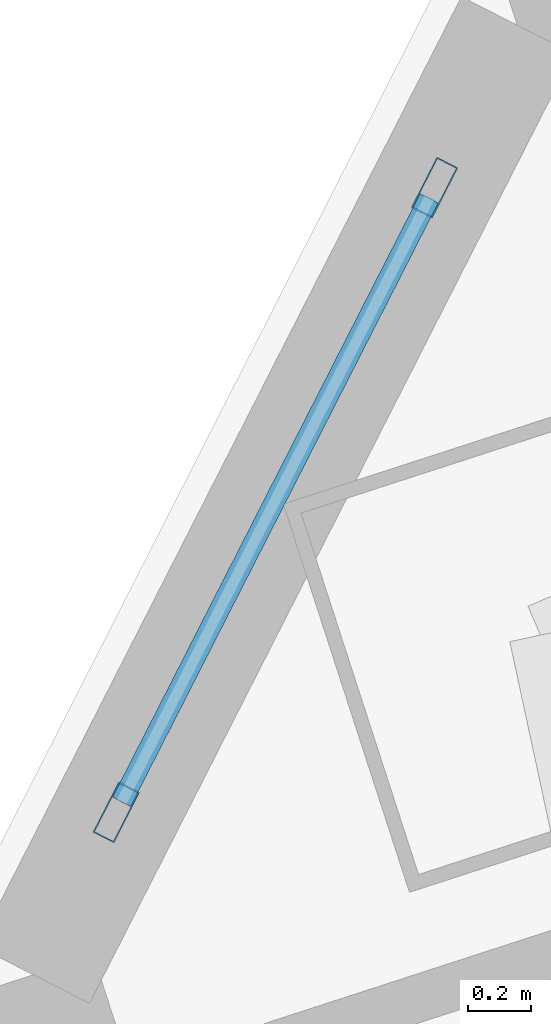
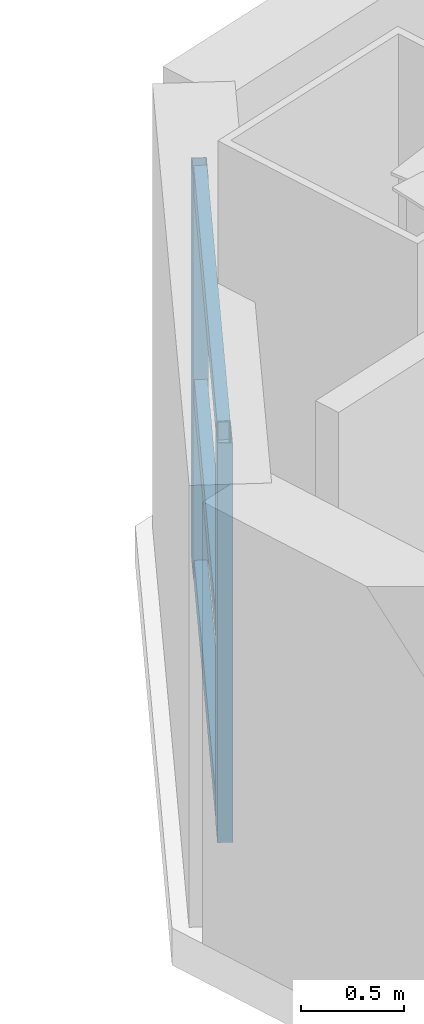
# One storey, part 8 of 22: 5 members, 1 element without a shape of its own.
"""IFC4 building model written with IfcOpenShell, lengths in metres."""

from ifc_helpers import new_model, si_unit, direction, frame, origin, origin_2d, place, context, subcontext, project, spatial, hollow_rectangle, extrude, material, layer, layer_set, material_profile, profile_set, type_object, element, aggregate, save


model = new_model("IFC4")

# Units and contexts
model_context = context("Model", 3, precision=1e-05, world=origin(), true_north=direction((0.0, 1.0)))
body_context = subcontext(model_context, "Body", "Model", "MODEL_VIEW")
ifc_project = project(units=[si_unit("LENGTHUNIT", "METRE"), si_unit("AREAUNIT", "SQUARE_METRE"), si_unit("VOLUMEUNIT", "CUBIC_METRE"), si_unit("PLANEANGLEUNIT", "RADIAN"), si_unit("MASSUNIT", "GRAM", prefix="KILO")], contexts=[model_context])

# Site, building, storey
site_placement = place(None, origin())
site = spatial("IfcSite", under=ifc_project, at=site_placement, CompositionType="ELEMENT")
building_placement = place(site_placement, origin())
building = spatial("IfcBuilding", under=site, at=building_placement, Name="Qiaolan Cultural Towers", CompositionType="ELEMENT")
storey_placement = place(building_placement, frame((0.0, 0.0, 146.050048828125)))
storey = spatial("IfcBuildingStorey", under=building, at=storey_placement, Name="L38", CompositionType="ELEMENT", Elevation=146.050048828125)

# Curtain wall, members
ifc_material_1 = material(Name="Unitized Anodized Aluminium Curtain Wall System", Category="aluminium")
ifc_layer = layer(ifc_material_1, 0.199951171875)
ifc_layer_set = layer_set([ifc_layer], Name="Unitized Anodized Aluminium Curtain Wall System")
curtain_wall_type = type_object("IfcCurtainWallType", Name="CWS-03", PredefinedType="NOTDEFINED", material=ifc_layer_set)
curtain_wall_placement = place(storey_placement, origin())
curtain_wall = element("IfcCurtainWall", 1, at=curtain_wall_placement, inside=storey, type_object=curtain_wall_type, Name="L38 T2 Chamfer Wind-Corner Feature Curtain Wall 1", PredefinedType="NOTDEFINED")
ifc_material_2 = material(Name="Extruded Aluminium 6063-T6", Category="aluminium")
ifc_material_profile_1 = material_profile(ifc_material_2, hollow_rectangle(XDim=0.074951171875, YDim=0.179931640625, WallThickness=0.00390625, at=origin_2d()), Name="CWM-180x75x4")
ifc_profile_set_1 = profile_set([ifc_material_profile_1], Name="Extruded Aluminium 6063-T6")
member_type_1 = type_object("IfcMemberType", Name="CWS-03-MUL", PredefinedType="MULLION", material=ifc_profile_set_1)
member_1_placement = place(storey_placement, frame((68.814208984375, 50.04931640625, 0.14990234375), z_axis=(0.0, 0.0, 1.0), x_axis=(-0.891006528546, 0.453990491186, 0.0)))
member_1 = element("IfcMember", 2, at=member_1_placement, type_object=member_type_1, Name="CW-3 mullion 1", PredefinedType="MULLION", context=body_context, shape_type="SweptSolid", body=[
    extrude(hollow_rectangle(XDim=0.074951171875, YDim=0.179931640625, WallThickness=0.00390625, at=origin_2d()), origin(), (0.0, 0.0, 1.0), 2.360107421875),
])
member_2_placement = place(storey_placement, frame((69.827880859375, 52.038818359375, 0.14990234375), z_axis=(0.0, 0.0, 1.0), x_axis=(-0.891006528546, 0.453990491186, 0.0)))
member_2 = element("IfcMember", 3, at=member_2_placement, type_object=member_type_1, Name="CW-3 mullion 2", PredefinedType="MULLION", context=body_context, shape_type="SweptSolid", body=[
    extrude(hollow_rectangle(XDim=0.074951171875, YDim=0.179931640625, WallThickness=0.00390625, at=origin_2d()), origin(), (0.0, 0.0, 1.0), 2.360107421875),
])
ifc_material_3 = material(Name="Extruded Aluminium 6063-T6", Category="aluminium")
ifc_material_profile_2 = material_profile(ifc_material_3, hollow_rectangle(XDim=0.06494140625, YDim=0.14990234375, WallThickness=0.00390625, at=origin_2d()), Name="CWT-150x65x4")
ifc_profile_set_2 = profile_set([ifc_material_profile_2], Name="Extruded Aluminium 6063-T6")
member_type_2 = type_object("IfcMemberType", Name="CWS-03-TRN", PredefinedType="USERDEFINED", material=ifc_profile_set_2)
member_3_placement = place(storey_placement, frame((68.8310546875, 50.08251953125, 0.182373046875), z_axis=(0.453988484323, 0.891007551091, 0.0), x_axis=(-0.891007551091, 0.453988484323, 0.0)))
member_3 = element("IfcMember", 4, at=member_3_placement, type_object=member_type_2, Name="CW-3 transom 1.1", ObjectType="TRANSOM", PredefinedType="USERDEFINED", context=body_context, shape_type="SweptSolid", body=[
    extrude(hollow_rectangle(XDim=0.06494140625, YDim=0.14990234375, WallThickness=0.00390625, at=origin_2d()), origin(), (0.0, 0.0, 1.0), 2.157958984375),
])
member_4_placement = place(storey_placement, frame((68.8310546875, 50.08251953125, 1.25), z_axis=(0.453988484323, 0.891007551091, 0.0), x_axis=(-0.891007551091, 0.453988484323, 0.0)))
member_4 = element("IfcMember", 5, at=member_4_placement, type_object=member_type_2, Name="CW-3 transom 1.2", ObjectType="TRANSOM", PredefinedType="USERDEFINED", context=body_context, shape_type="SweptSolid", body=[
    extrude(hollow_rectangle(XDim=0.06494140625, YDim=0.14990234375, WallThickness=0.00390625, at=origin_2d()), origin(), (0.0, 0.0, 1.0), 2.157958984375),
])
member_5_placement = place(storey_placement, frame((68.8310546875, 50.08251953125, 2.4775390625), z_axis=(0.453988484323, 0.891007551091, 0.0), x_axis=(-0.891007551091, 0.453988484323, 0.0)))
member_5 = element("IfcMember", 6, at=member_5_placement, type_object=member_type_2, Name="CW-3 transom 1.3", ObjectType="TRANSOM", PredefinedType="USERDEFINED", context=body_context, shape_type="SweptSolid", body=[
    extrude(hollow_rectangle(XDim=0.06494140625, YDim=0.14990234375, WallThickness=0.00390625, at=origin_2d()), origin(), (0.0, 0.0, 1.0), 2.157958984375),
])
aggregate(curtain_wall, [member_1, member_2, member_3, member_4, member_5])

save(model, "model.ifc")
